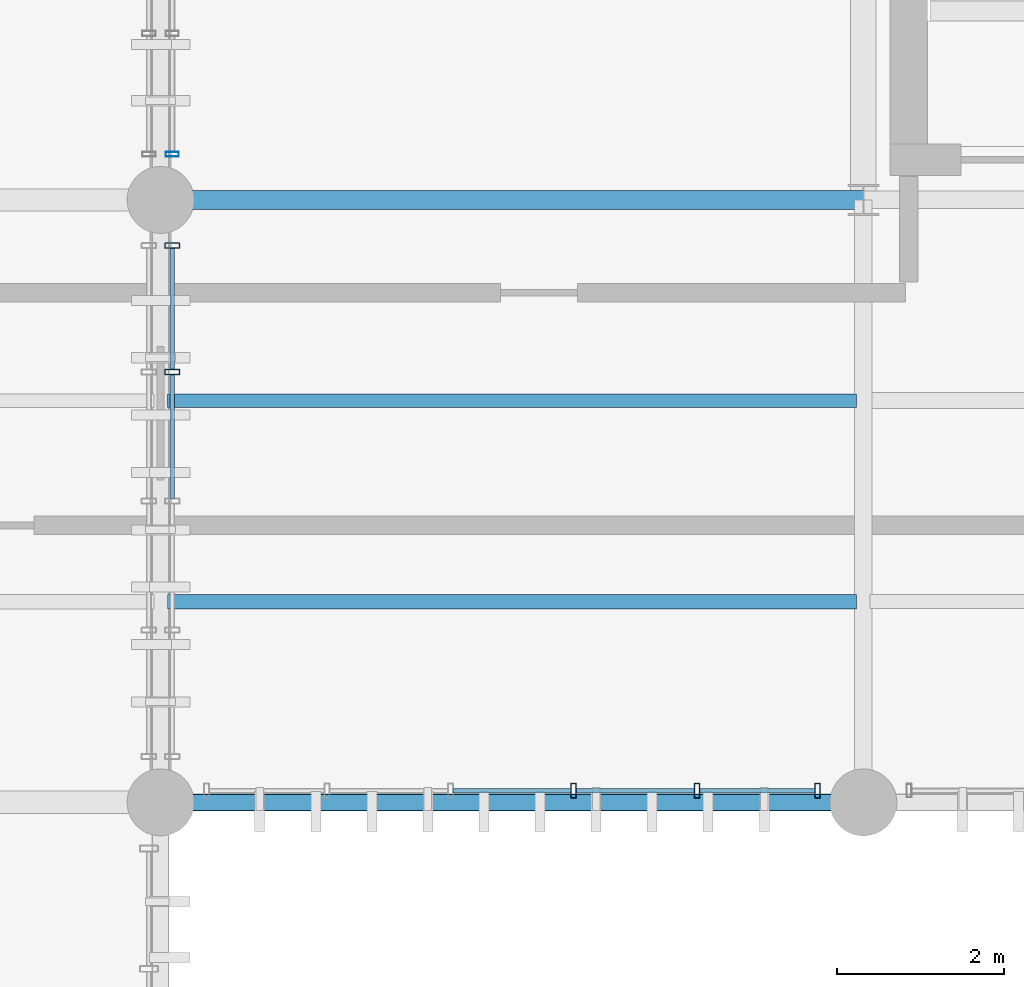
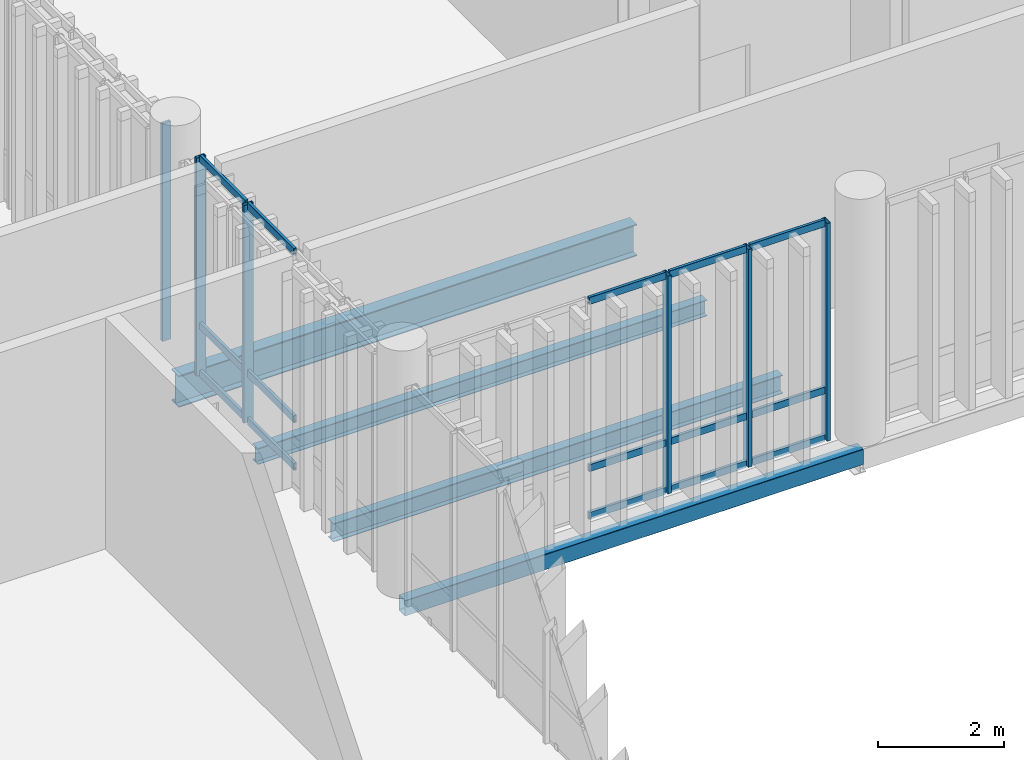
# One storey, part 27 of 94: 21 members, 4 beams, 3 elements without a shape of their own.
"""IFC4 building model written with IfcOpenShell, lengths in metres."""

from ifc_helpers import new_model, si_unit, direction, frame, origin_with_axes, origin_2d_with_axis, place, context, subcontext, project, spatial, hollow_rectangle, i_section, extrude, material, material_profile, profile_set, type_object, element, aggregate, save


model = new_model("IFC4")

# Units and contexts
model_context = context("Model", 3, precision=1e-05, world=origin_with_axes(), true_north=direction((0.0, 1.0)))
body_context = subcontext(model_context, "Body", "Model", "MODEL_VIEW")
ifc_project = project(units=[si_unit("LENGTHUNIT", "METRE"), si_unit("AREAUNIT", "SQUARE_METRE"), si_unit("VOLUMEUNIT", "CUBIC_METRE"), si_unit("PLANEANGLEUNIT", "RADIAN"), si_unit("MASSUNIT", "GRAM", prefix="KILO"), si_unit("THERMODYNAMICTEMPERATUREUNIT", "KELVIN")], contexts=[model_context])

# Site, building, storey
site_placement = place(None, origin_with_axes())
site = spatial("IfcSite", under=ifc_project, at=site_placement, CompositionType="ELEMENT")
building_placement = place(site_placement, origin_with_axes())
building = spatial("IfcBuilding", under=site, at=building_placement, Name="Montbau Bow Law Courts", CompositionType="ELEMENT")
storey_placement = place(building_placement, frame((0.0, 0.0, 15.6), z_axis=(0.0, 0.0, 1.0), x_axis=(1.0, 0.0, 0.0)))
storey = spatial("IfcBuildingStorey", under=building, at=storey_placement, Name="L03", CompositionType="ELEMENT", Elevation=15.6)

# Beams
ifc_material_1 = material(Name="Steel CSA G40.21 Grade 350W (350 MPa)", Category="steel")
ifc_material_profile_1 = material_profile(ifc_material_1, i_section(OverallWidth=0.229, OverallDepth=0.612, WebThickness=0.0119, FlangeThickness=0.0196, at=origin_2d_with_axis()), Name="W610X125", Category="Main", Priority=0)
ifc_profile_set_1 = profile_set([ifc_material_profile_1], Name="Steel CSA G40.21 Grade 350W (350 MPa)")
beam_type_1 = type_object("IfcBeamType", Name="B-FLR-05", PredefinedType="BEAM", material=ifc_profile_set_1)
beam_1_placement = place(None, frame((46.8, 46.2, 15.034), z_axis=(1.0, 0.0, 0.0), x_axis=(0.0, 1.0, 0.0)))
element("IfcBeam", 1, at=beam_1_placement, inside=storey, type_object=beam_type_1, Name="BM-L03-S0880:bm2_0883", PredefinedType="BEAM", context=body_context, shape_type="SweptSolid", body=[
    extrude(i_section(OverallWidth=0.229, OverallDepth=0.612, WebThickness=0.0119, FlangeThickness=0.0196, at=origin_2d_with_axis()), origin_with_axes(), (0.0, 0.0, 1.0), 8.4),
])
ifc_material_profile_2 = material_profile(ifc_material_1, i_section(OverallWidth=0.172, OverallDepth=0.358, WebThickness=0.0079, FlangeThickness=0.0131, at=origin_2d_with_axis()), Name="W360X57", Category="Main", Priority=0)
ifc_profile_set_2 = profile_set([ifc_material_profile_2], Name="Steel CSA G40.21 Grade 350W (350 MPa)")
beam_type_2 = type_object("IfcBeamType", Name="B-JST-03", PredefinedType="JOIST", material=ifc_profile_set_2)
beam_2_placement = place(None, frame((46.88, 41.4, 15.161), z_axis=(1.0, 0.0, 0.0), x_axis=(0.0, 1.0, 0.0)))
element("IfcBeam", 2, at=beam_2_placement, inside=storey, type_object=beam_type_2, Name="JST-L03-S0454:jst2_0454", PredefinedType="JOIST", context=body_context, shape_type="SweptSolid", body=[
    extrude(i_section(OverallWidth=0.172, OverallDepth=0.358, WebThickness=0.0079, FlangeThickness=0.0131, at=origin_2d_with_axis()), origin_with_axes(), (0.0, 0.0, 1.0), 8.239),
])
ifc_material_profile_3 = material_profile(ifc_material_1, i_section(OverallWidth=0.166, OverallDepth=0.313, WebThickness=0.0066, FlangeThickness=0.0112, at=origin_2d_with_axis()), Name="W310X45", Category="Main", Priority=0)
ifc_profile_set_3 = profile_set([ifc_material_profile_3], Name="Steel CSA G40.21 Grade 350W (350 MPa)")
beam_type_3 = type_object("IfcBeamType", Name="B-JST-04", PredefinedType="JOIST", material=ifc_profile_set_3)
beam_3_placement = place(None, frame((46.88, 43.8, 15.184), z_axis=(1.0, 0.0, 0.0), x_axis=(0.0, 1.0, 0.0)))
element("IfcBeam", 3, at=beam_3_placement, inside=storey, type_object=beam_type_3, Name="JST-L03-S0455:jst2_0455", PredefinedType="JOIST", context=body_context, shape_type="SweptSolid", body=[
    extrude(i_section(OverallWidth=0.166, OverallDepth=0.313, WebThickness=0.0066, FlangeThickness=0.0112, at=origin_2d_with_axis()), origin_with_axes(), (0.0, 0.0, 1.0), 8.239),
])
ifc_material_2 = material(Name="Steel CSA G40.21 Grade 350WT (350 MPa)", Category="steel")
ifc_material_profile_4 = material_profile(ifc_material_2, hollow_rectangle(XDim=0.203, YDim=0.305, WallThickness=0.0127, InnerFilletRadius=0.0254, OuterFilletRadius=0.0127, at=origin_2d_with_axis()), Name="HSS305X203X13", Category="Main", Priority=0)
ifc_profile_set_4 = profile_set([ifc_material_profile_4], Name="Steel CSA G40.21 Grade 350WT (350 MPa)")
beam_type_4 = type_object("IfcBeamType", Name="B-SPN-02", PredefinedType="SPANDREL", material=ifc_profile_set_4)
beam_4_placement = place(None, frame((46.8, 39.0, 15.188), z_axis=(1.0, 0.0, 0.0), x_axis=(0.0, 1.0, 0.0)))
element("IfcBeam", 4, at=beam_4_placement, inside=storey, type_object=beam_type_4, Name="SPN-L03-S0874:bm2_0877", PredefinedType="SPANDREL", context=body_context, shape_type="SweptSolid", body=[
    extrude(hollow_rectangle(XDim=0.203, YDim=0.305, WallThickness=0.0127, InnerFilletRadius=0.0254, OuterFilletRadius=0.0127, at=origin_2d_with_axis()), origin_with_axes(), (0.0, 0.0, 1.0), 8.4),
])

# Curtain wall, members
ifc_material_3 = material(Name="Thermally Broken Extruded Aluminium AA 6063-T6", Category="aluminium")
curtain_wall_type = type_object("IfcCurtainWallType", Name="CW-CRM-01", PredefinedType="NOTDEFINED", material=ifc_material_3)
curtain_wall_1_placement = place(None, frame((47.315, 39.14, 15.6), z_axis=(0.0, 0.0, 1.0), x_axis=(1.0, 0.0, 0.0)))
curtain_wall_1 = element("IfcCurtainWall", 5, at=curtain_wall_1_placement, inside=storey, type_object=curtain_wall_type, Name="CW-L03-175:cw_0175", PredefinedType="NOTDEFINED")
ifc_material_profile_5 = material_profile(ifc_material_3, hollow_rectangle(XDim=0.065, YDim=0.18, WallThickness=0.005, InnerFilletRadius=0.01, OuterFilletRadius=0.005, at=origin_2d_with_axis()), Name="CWM-180X65", Category="Main", Priority=0)
ifc_profile_set_5 = profile_set([ifc_material_profile_5], Name="Thermally Broken Extruded Aluminium AA 6063-T6")
member_type_1 = type_object("IfcMemberType", Name="M-MUL-02", PredefinedType="MULLION", material=ifc_profile_set_5)
member_1_placement = place(None, frame((51.737, 39.14, 15.6), z_axis=(0.0, 0.0, 1.0), x_axis=(1.0, 0.0, 0.0)))
member_1 = element("IfcMember", 6, at=member_1_placement, type_object=member_type_1, Name="CW-L03-175-M04:cw_0175_M04", PredefinedType="MULLION", context=body_context, shape_type="SweptSolid", body=[
    extrude(hollow_rectangle(XDim=0.065, YDim=0.18, WallThickness=0.005, InnerFilletRadius=0.01, OuterFilletRadius=0.005, at=origin_2d_with_axis()), origin_with_axes(), (0.0, 0.0, 1.0), 4.22),
])
member_2_placement = place(None, frame((53.211, 39.14, 15.6), z_axis=(0.0, 0.0, 1.0), x_axis=(1.0, 0.0, 0.0)))
member_2 = element("IfcMember", 7, at=member_2_placement, type_object=member_type_1, Name="CW-L03-175-M05:cw_0175_M05", PredefinedType="MULLION", context=body_context, shape_type="SweptSolid", body=[
    extrude(hollow_rectangle(XDim=0.065, YDim=0.18, WallThickness=0.005, InnerFilletRadius=0.01, OuterFilletRadius=0.005, at=origin_2d_with_axis()), origin_with_axes(), (0.0, 0.0, 1.0), 4.22),
])
member_3_placement = place(None, frame((54.653, 39.14, 15.6), z_axis=(0.0, 0.0, 1.0), x_axis=(1.0, 0.0, 0.0)))
member_3 = element("IfcMember", 8, at=member_3_placement, type_object=member_type_1, Name="CW-L03-175-M06:cw_0175_M06", PredefinedType="MULLION", context=body_context, shape_type="SweptSolid", body=[
    extrude(hollow_rectangle(XDim=0.065, YDim=0.18, WallThickness=0.005, InnerFilletRadius=0.01, OuterFilletRadius=0.005, at=origin_2d_with_axis()), origin_with_axes(), (0.0, 0.0, 1.0), 4.22),
])

curtain_wall_2_placement = place(None, frame((46.94, 39.515, 15.6), z_axis=(0.0, 0.0, 1.0), x_axis=(1.0, 0.0, 0.0)))
curtain_wall_2 = element("IfcCurtainWall", 9, at=curtain_wall_2_placement, inside=storey, type_object=curtain_wall_type, Name="CW-L03-187:cw_0187", PredefinedType="NOTDEFINED")
member_4_placement = place(None, frame((46.94, 44.143, 15.6), z_axis=(0.0, 0.0, 1.0), x_axis=(0.0, 1.0, 0.0)))
member_4 = element("IfcMember", 10, at=member_4_placement, type_object=member_type_1, Name="CW-L03-187-M04:cw_0187_M04", PredefinedType="MULLION", context=body_context, shape_type="SweptSolid", body=[
    extrude(hollow_rectangle(XDim=0.065, YDim=0.18, WallThickness=0.005, InnerFilletRadius=0.01, OuterFilletRadius=0.005, at=origin_2d_with_axis()), origin_with_axes(), (0.0, 0.0, 1.0), 4.22),
])
member_5_placement = place(None, frame((46.94, 45.653, 15.6), z_axis=(0.0, 0.0, 1.0), x_axis=(0.0, 1.0, 0.0)))
member_5 = element("IfcMember", 11, at=member_5_placement, type_object=member_type_1, Name="CW-L03-187-M05:cw_0187_M05", PredefinedType="MULLION", context=body_context, shape_type="SweptSolid", body=[
    extrude(hollow_rectangle(XDim=0.065, YDim=0.18, WallThickness=0.005, InnerFilletRadius=0.01, OuterFilletRadius=0.005, at=origin_2d_with_axis()), origin_with_axes(), (0.0, 0.0, 1.0), 4.22),
])

# Curtain wall, member
curtain_wall_3_placement = place(None, frame((46.94, 46.715, 15.6), z_axis=(0.0, 0.0, 1.0), x_axis=(1.0, 0.0, 0.0)))
curtain_wall_3 = element("IfcCurtainWall", 12, at=curtain_wall_3_placement, inside=storey, type_object=curtain_wall_type, Name="CW-L03-188:cw_0188", PredefinedType="NOTDEFINED")
ifc_material_profile_6 = material_profile(ifc_material_3, hollow_rectangle(XDim=0.06, YDim=0.16, WallThickness=0.004, InnerFilletRadius=0.008, OuterFilletRadius=0.004, at=origin_2d_with_axis()), Name="CWM-160X60", Category="Main", Priority=0)
ifc_profile_set_6 = profile_set([ifc_material_profile_6], Name="Thermally Broken Extruded Aluminium AA 6063-T6")
member_type_2 = type_object("IfcMemberType", Name="M-MUL-03", PredefinedType="MULLION", material=ifc_profile_set_6)
member_6_placement = place(None, frame((46.94, 46.745, 15.6), z_axis=(0.0, 0.0, 1.0), x_axis=(0.0, 1.0, 0.0)))
member_6 = element("IfcMember", 13, at=member_6_placement, type_object=member_type_2, Name="CW-L03-188-M01:cw_0188_M01", PredefinedType="MULLION", context=body_context, shape_type="SweptSolid", body=[
    extrude(hollow_rectangle(XDim=0.06, YDim=0.16, WallThickness=0.004, InnerFilletRadius=0.008, OuterFilletRadius=0.004, at=origin_2d_with_axis()), origin_with_axes(), (0.0, 0.0, 1.0), 4.22),
])
aggregate(curtain_wall_3, [member_6])

# Member
ifc_material_profile_7 = material_profile(ifc_material_3, hollow_rectangle(XDim=0.055, YDim=0.14, WallThickness=0.004, InnerFilletRadius=0.008, OuterFilletRadius=0.004, at=origin_2d_with_axis()), Name="CWT-140X55", Category="Main", Priority=0)
ifc_profile_set_7 = profile_set([ifc_material_profile_7], Name="Thermally Broken Extruded Aluminium AA 6063-T6")
member_type_3 = type_object("IfcMemberType", Name="M-TRN-02", PredefinedType="USERDEFINED", material=ifc_profile_set_7)
member_7_placement = place(None, frame((50.297, 39.14, 15.627), z_axis=(1.0, 0.0, 0.0), x_axis=(0.0, 1.0, 0.0)))
member_7 = element("IfcMember", 14, at=member_7_placement, type_object=member_type_3, Name="CW-L03-175-T03-1:cw_0175_T03_1", ObjectType="TRANSOM", PredefinedType="USERDEFINED", context=body_context, shape_type="SweptSolid", body=[
    extrude(hollow_rectangle(XDim=0.055, YDim=0.14, WallThickness=0.004, InnerFilletRadius=0.008, OuterFilletRadius=0.004, at=origin_2d_with_axis()), origin_with_axes(), (0.0, 0.0, 1.0), 1.406),
])

member_8_placement = place(None, frame((50.297, 39.14, 16.55), z_axis=(1.0, 0.0, 0.0), x_axis=(0.0, 1.0, 0.0)))
member_8 = element("IfcMember", 15, at=member_8_placement, type_object=member_type_3, Name="CW-L03-175-T03-2:cw_0175_T03_2", ObjectType="TRANSOM", PredefinedType="USERDEFINED", context=body_context, shape_type="SweptSolid", body=[
    extrude(hollow_rectangle(XDim=0.055, YDim=0.14, WallThickness=0.004, InnerFilletRadius=0.008, OuterFilletRadius=0.004, at=origin_2d_with_axis()), origin_with_axes(), (0.0, 0.0, 1.0), 1.406),
])

member_9_placement = place(None, frame((50.297, 39.14, 19.793), z_axis=(1.0, 0.0, 0.0), x_axis=(0.0, 1.0, 0.0)))
member_9 = element("IfcMember", 16, at=member_9_placement, type_object=member_type_3, Name="CW-L03-175-T03-3:cw_0175_T03_3", ObjectType="TRANSOM", PredefinedType="USERDEFINED", context=body_context, shape_type="SweptSolid", body=[
    extrude(hollow_rectangle(XDim=0.055, YDim=0.14, WallThickness=0.004, InnerFilletRadius=0.008, OuterFilletRadius=0.004, at=origin_2d_with_axis()), origin_with_axes(), (0.0, 0.0, 1.0), 1.406),
])

member_10_placement = place(None, frame((51.771, 39.14, 15.627), z_axis=(1.0, 0.0, 0.0), x_axis=(0.0, 1.0, 0.0)))
member_10 = element("IfcMember", 17, at=member_10_placement, type_object=member_type_3, Name="CW-L03-175-T04-1:cw_0175_T04_1", ObjectType="TRANSOM", PredefinedType="USERDEFINED", context=body_context, shape_type="SweptSolid", body=[
    extrude(hollow_rectangle(XDim=0.055, YDim=0.14, WallThickness=0.004, InnerFilletRadius=0.008, OuterFilletRadius=0.004, at=origin_2d_with_axis()), origin_with_axes(), (0.0, 0.0, 1.0), 1.406),
])

member_11_placement = place(None, frame((51.771, 39.14, 16.55), z_axis=(1.0, 0.0, 0.0), x_axis=(0.0, 1.0, 0.0)))
member_11 = element("IfcMember", 18, at=member_11_placement, type_object=member_type_3, Name="CW-L03-175-T04-2:cw_0175_T04_2", ObjectType="TRANSOM", PredefinedType="USERDEFINED", context=body_context, shape_type="SweptSolid", body=[
    extrude(hollow_rectangle(XDim=0.055, YDim=0.14, WallThickness=0.004, InnerFilletRadius=0.008, OuterFilletRadius=0.004, at=origin_2d_with_axis()), origin_with_axes(), (0.0, 0.0, 1.0), 1.406),
])

member_12_placement = place(None, frame((51.771, 39.14, 19.793), z_axis=(1.0, 0.0, 0.0), x_axis=(0.0, 1.0, 0.0)))
member_12 = element("IfcMember", 19, at=member_12_placement, type_object=member_type_3, Name="CW-L03-175-T04-3:cw_0175_T04_3", ObjectType="TRANSOM", PredefinedType="USERDEFINED", context=body_context, shape_type="SweptSolid", body=[
    extrude(hollow_rectangle(XDim=0.055, YDim=0.14, WallThickness=0.004, InnerFilletRadius=0.008, OuterFilletRadius=0.004, at=origin_2d_with_axis()), origin_with_axes(), (0.0, 0.0, 1.0), 1.406),
])

member_13_placement = place(None, frame((53.245, 39.14, 15.627), z_axis=(1.0, 0.0, 0.0), x_axis=(0.0, 1.0, 0.0)))
member_13 = element("IfcMember", 20, at=member_13_placement, type_object=member_type_3, Name="CW-L03-175-T05-1:cw_0175_T05_1", ObjectType="TRANSOM", PredefinedType="USERDEFINED", context=body_context, shape_type="SweptSolid", body=[
    extrude(hollow_rectangle(XDim=0.055, YDim=0.14, WallThickness=0.004, InnerFilletRadius=0.008, OuterFilletRadius=0.004, at=origin_2d_with_axis()), origin_with_axes(), (0.0, 0.0, 1.0), 1.374),
])

member_14_placement = place(None, frame((53.245, 39.14, 16.55), z_axis=(1.0, 0.0, 0.0), x_axis=(0.0, 1.0, 0.0)))
member_14 = element("IfcMember", 21, at=member_14_placement, type_object=member_type_3, Name="CW-L03-175-T05-2:cw_0175_T05_2", ObjectType="TRANSOM", PredefinedType="USERDEFINED", context=body_context, shape_type="SweptSolid", body=[
    extrude(hollow_rectangle(XDim=0.055, YDim=0.14, WallThickness=0.004, InnerFilletRadius=0.008, OuterFilletRadius=0.004, at=origin_2d_with_axis()), origin_with_axes(), (0.0, 0.0, 1.0), 1.374),
])

member_15_placement = place(None, frame((53.245, 39.14, 19.793), z_axis=(1.0, 0.0, 0.0), x_axis=(0.0, 1.0, 0.0)))
member_15 = element("IfcMember", 22, at=member_15_placement, type_object=member_type_3, Name="CW-L03-175-T05-3:cw_0175_T05_3", ObjectType="TRANSOM", PredefinedType="USERDEFINED", context=body_context, shape_type="SweptSolid", body=[
    extrude(hollow_rectangle(XDim=0.055, YDim=0.14, WallThickness=0.004, InnerFilletRadius=0.008, OuterFilletRadius=0.004, at=origin_2d_with_axis()), origin_with_axes(), (0.0, 0.0, 1.0), 1.374),
])

aggregate(curtain_wall_1, [member_1, member_2, member_3, member_7, member_8, member_9, member_10, member_11, member_12, member_13, member_14, member_15])

member_16_placement = place(None, frame((46.94, 42.634, 15.627), z_axis=(0.0, 1.0, 0.0), x_axis=(-1.0, 0.0, 0.0)))
member_16 = element("IfcMember", 23, at=member_16_placement, type_object=member_type_3, Name="CW-L03-187-T03-1:cw_0187_T03_1", ObjectType="TRANSOM", PredefinedType="USERDEFINED", context=body_context, shape_type="SweptSolid", body=[
    extrude(hollow_rectangle(XDim=0.055, YDim=0.14, WallThickness=0.004, InnerFilletRadius=0.008, OuterFilletRadius=0.004, at=origin_2d_with_axis()), origin_with_axes(), (0.0, 0.0, 1.0), 1.475),
])

member_17_placement = place(None, frame((46.94, 42.634, 16.55), z_axis=(0.0, 1.0, 0.0), x_axis=(-1.0, 0.0, 0.0)))
member_17 = element("IfcMember", 24, at=member_17_placement, type_object=member_type_3, Name="CW-L03-187-T03-2:cw_0187_T03_2", ObjectType="TRANSOM", PredefinedType="USERDEFINED", context=body_context, shape_type="SweptSolid", body=[
    extrude(hollow_rectangle(XDim=0.055, YDim=0.14, WallThickness=0.004, InnerFilletRadius=0.008, OuterFilletRadius=0.004, at=origin_2d_with_axis()), origin_with_axes(), (0.0, 0.0, 1.0), 1.475),
])

member_18_placement = place(None, frame((46.94, 42.634, 19.793), z_axis=(0.0, 1.0, 0.0), x_axis=(-1.0, 0.0, 0.0)))
member_18 = element("IfcMember", 25, at=member_18_placement, type_object=member_type_3, Name="CW-L03-187-T03-3:cw_0187_T03_3", ObjectType="TRANSOM", PredefinedType="USERDEFINED", context=body_context, shape_type="SweptSolid", body=[
    extrude(hollow_rectangle(XDim=0.055, YDim=0.14, WallThickness=0.004, InnerFilletRadius=0.008, OuterFilletRadius=0.004, at=origin_2d_with_axis()), origin_with_axes(), (0.0, 0.0, 1.0), 1.475),
])

member_19_placement = place(None, frame((46.94, 44.177, 15.627), z_axis=(0.0, 1.0, 0.0), x_axis=(-1.0, 0.0, 0.0)))
member_19 = element("IfcMember", 26, at=member_19_placement, type_object=member_type_3, Name="CW-L03-187-T04-1:cw_0187_T04_1", ObjectType="TRANSOM", PredefinedType="USERDEFINED", context=body_context, shape_type="SweptSolid", body=[
    extrude(hollow_rectangle(XDim=0.055, YDim=0.14, WallThickness=0.004, InnerFilletRadius=0.008, OuterFilletRadius=0.004, at=origin_2d_with_axis()), origin_with_axes(), (0.0, 0.0, 1.0), 1.442),
])

member_20_placement = place(None, frame((46.94, 44.177, 16.55), z_axis=(0.0, 1.0, 0.0), x_axis=(-1.0, 0.0, 0.0)))
member_20 = element("IfcMember", 27, at=member_20_placement, type_object=member_type_3, Name="CW-L03-187-T04-2:cw_0187_T04_2", ObjectType="TRANSOM", PredefinedType="USERDEFINED", context=body_context, shape_type="SweptSolid", body=[
    extrude(hollow_rectangle(XDim=0.055, YDim=0.14, WallThickness=0.004, InnerFilletRadius=0.008, OuterFilletRadius=0.004, at=origin_2d_with_axis()), origin_with_axes(), (0.0, 0.0, 1.0), 1.442),
])

member_21_placement = place(None, frame((46.94, 44.177, 19.793), z_axis=(0.0, 1.0, 0.0), x_axis=(-1.0, 0.0, 0.0)))
member_21 = element("IfcMember", 28, at=member_21_placement, type_object=member_type_3, Name="CW-L03-187-T04-3:cw_0187_T04_3", ObjectType="TRANSOM", PredefinedType="USERDEFINED", context=body_context, shape_type="SweptSolid", body=[
    extrude(hollow_rectangle(XDim=0.055, YDim=0.14, WallThickness=0.004, InnerFilletRadius=0.008, OuterFilletRadius=0.004, at=origin_2d_with_axis()), origin_with_axes(), (0.0, 0.0, 1.0), 1.442),
])

aggregate(curtain_wall_2, [member_4, member_5, member_16, member_17, member_18, member_19, member_20, member_21])

save(model, "model.ifc")
